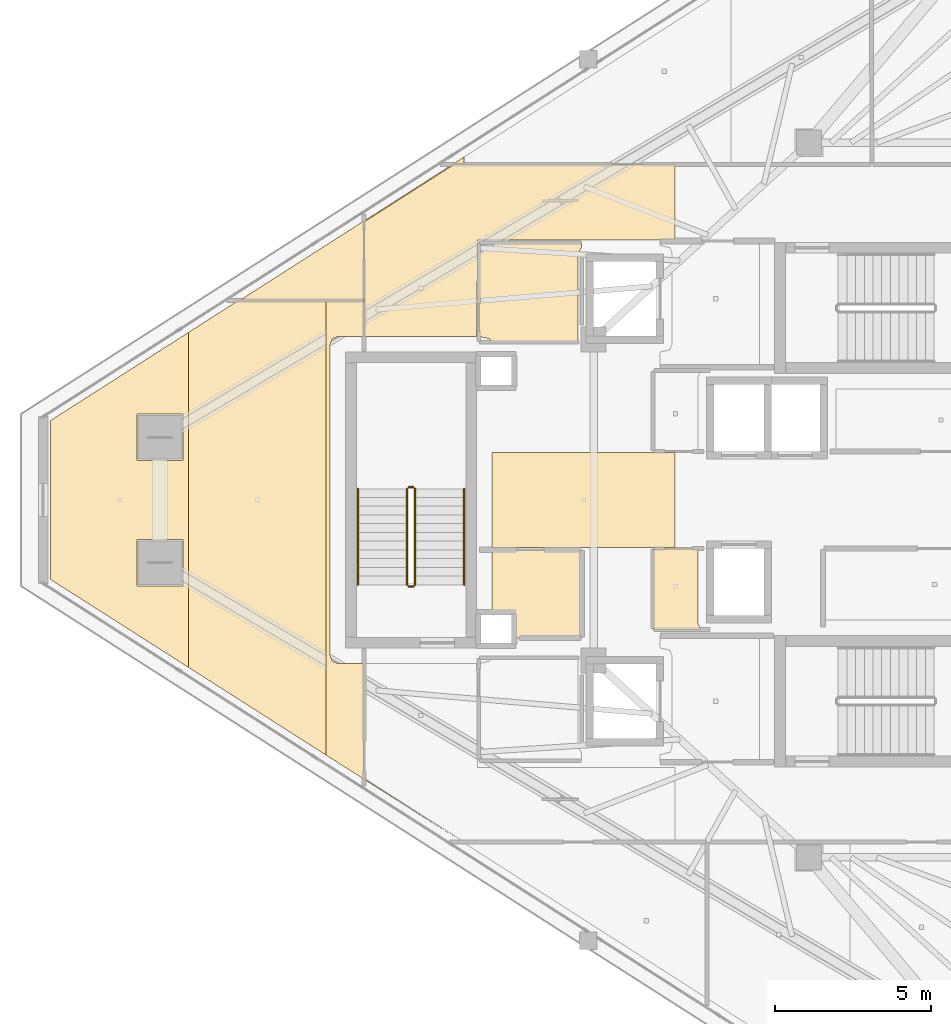
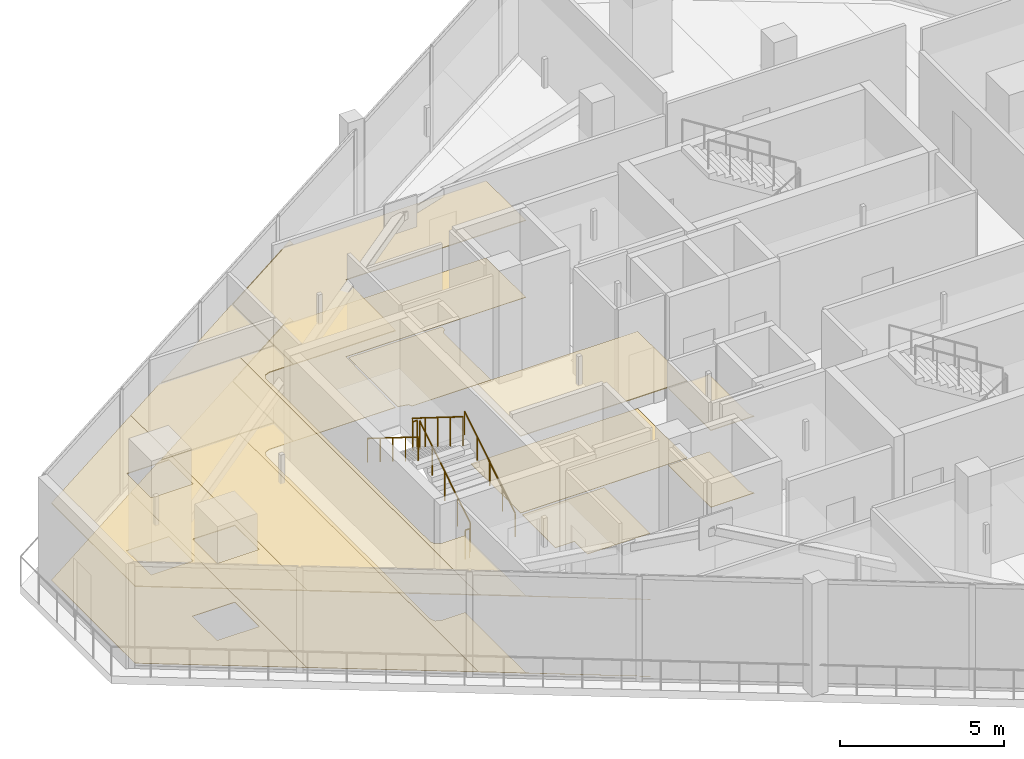
# One storey, part 22 of 25: 16 coverings, 6 railings.
"""IFC4 building model written with IfcOpenShell, lengths in metres."""

from ifc_helpers import new_model, si_unit, direction, frame, origin, origin_2d, place, context, subcontext, project, spatial, polyline, circle, outline, extrude, material, layer, layer_set, type_object, element, save


model = new_model("IFC4")

# Units and contexts
model_context = context("Model", 3, precision=1e-05, world=origin(), true_north=direction((0.0, 1.0)))
body_context = subcontext(model_context, "Body", "Model", "MODEL_VIEW")
ifc_project = project(units=[si_unit("LENGTHUNIT", "METRE"), si_unit("AREAUNIT", "SQUARE_METRE"), si_unit("VOLUMEUNIT", "CUBIC_METRE"), si_unit("PLANEANGLEUNIT", "RADIAN"), si_unit("MASSUNIT", "GRAM", prefix="KILO")], contexts=[model_context])

# Site, building, storey
site_placement = place(None, origin())
site = spatial("IfcSite", under=ifc_project, at=site_placement, CompositionType="ELEMENT")
building_placement = place(site_placement, origin())
building = spatial("IfcBuilding", under=site, at=building_placement, Name="Qorvath Tower", CompositionType="ELEMENT")
storey_placement = place(building_placement, frame((0.0, 0.0, 314.39990234375)))
storey = spatial("IfcBuildingStorey", under=building, at=storey_placement, Name="L73", CompositionType="ELEMENT", Elevation=314.39990234375)

# Coverings
ifc_material_1 = material(Name="Acoustic mineral fibre ceiling tile", Category="gypsum")
ifc_layer_1 = layer(ifc_material_1, 0.030029296875)
ifc_layer_set_1 = layer_set([ifc_layer_1], Name="COV-CEIL")
covering_type_1 = type_object("IfcCoveringType", Name="COV-CEIL", PredefinedType="CEILING", material=ifc_layer_set_1)
covering_1_placement = place(storey_placement, frame((0.0, 0.0, 2.85009765625)))
element("IfcCovering", 1, at=covering_1_placement, inside=storey, type_object=covering_type_1, Name="L73 Suspended Acoustic Ceiling 006", PredefinedType="CEILING", context=body_context, shape_type="SweptSolid", body=[
    extrude(outline(polyline([(-27.06689453125, -4.14501953125), (-27.159912109375, -3.9599609375), (-27.159912109375, -1.56494140625), (-28.594970703125, -1.56494140625), (-28.594970703125, -4.14501953125), (-27.06689453125, -4.14501953125)])), origin(), (0.0, 0.0, 1.0), 0.030029296875),
])
covering_2_placement = place(storey_placement, frame((0.0, 0.0, 2.85009765625)))
element("IfcCovering", 2, at=covering_2_placement, inside=storey, type_object=covering_type_1, Name="L73 Suspended Acoustic Ceiling 010", PredefinedType="CEILING", context=body_context, shape_type="SweptSolid", body=[
    extrude(outline(polyline([(-27.8984375, 8.324951171875), (-27.8984375, 10.7451171875), (-34.987548828125, 10.7451171875), (-37.844970703125, 8.918701171875), (-37.844970703125, 5.239990234375), (-34.2509765625, 5.239990234375), (-34.219970703125, 8.324951171875), (-27.8984375, 8.324951171875)])), origin(), (0.0, 0.0, 1.0), 0.030029296875),
])
covering_3_placement = place(storey_placement, frame((0.0, 0.0, 2.85009765625)))
element("IfcCovering", 3, at=covering_3_placement, inside=storey, type_object=covering_type_1, Name="L73 Suspended Acoustic Ceiling 012", PredefinedType="CEILING", context=body_context, shape_type="SweptSolid", body=[
    extrude(outline(polyline([(-27.8984375, -1.514892578125), (-27.8984375, 1.514892578125), (-33.760009765625, 1.514892578125), (-33.760009765625, -1.514892578125), (-27.8984375, -1.514892578125)])), origin(), (0.0, 0.0, 1.0), 0.030029296875),
])
covering_4_placement = place(storey_placement, frame((0.0, 0.0, 2.85009765625)))
element("IfcCovering", 4, at=covering_4_placement, inside=storey, type_object=covering_type_1, Name="L73 Suspended Acoustic Ceiling 029", PredefinedType="CEILING", context=body_context, shape_type="SweptSolid", body=[
    extrude(outline(polyline([(-47.905517578125, 2.547607421875), (-47.905517578125, -2.547607421875), (-43.491455078125, -5.361083984375), (-43.491455078125, 5.367919921875), (-47.905517578125, 2.547607421875)]), holes=[polyline([(-45.14501953125, -2.75), (-45.14501953125, -1.26513671875), (-43.66015625, -1.26513671875), (-43.66015625, -2.75), (-45.14501953125, -2.75)]), polyline([(-45.14501953125, 1.26513671875), (-45.14501953125, 2.75), (-43.66015625, 2.75), (-43.66015625, 1.26513671875), (-45.14501953125, 1.26513671875)])]), origin(), (0.0, 0.0, 1.0), 0.030029296875),
])
covering_5_placement = place(storey_placement, frame((0.0, 0.0, 2.85009765625)))
element("IfcCovering", 5, at=covering_5_placement, inside=storey, type_object=covering_type_1, Name="L73 Suspended Acoustic Ceiling 030", PredefinedType="CEILING", context=body_context, shape_type="SweptSolid", body=[
    extrude(outline(polyline([(-43.491455078125, 5.367919921875), (-43.491455078125, -5.361083984375), (-39.0771484375, -8.174560546875), (-39.0771484375, 6.384765625), (-41.89990234375, 6.384765625), (-43.491455078125, 5.367919921875)])), origin(), (0.0, 0.0, 1.0), 0.030029296875),
])
covering_6_placement = place(storey_placement, frame((0.0, 0.0, 2.85009765625)))
element("IfcCovering", 6, at=covering_6_placement, inside=storey, type_object=covering_type_1, Name="L73 Suspended Acoustic Ceiling 031", PredefinedType="CEILING", context=body_context, shape_type="SweptSolid", body=[
    extrude(outline(polyline([(-39.0771484375, 6.384765625), (-39.0771484375, -8.174560546875), (-34.6630859375, -10.988037109375), (-37.860595703125, -8.93017578125), (-37.863037109375, -5.239990234375), (-38.699951171875, -5.239990234375), (-38.876708984375, -5.166748046875), (-38.949951171875, -4.989990234375), (-38.949951171875, 4.989990234375), (-38.876708984375, 5.166748046875), (-38.699951171875, 5.239990234375), (-37.863037109375, 5.239990234375), (-37.863037109375, 6.384765625), (-39.0771484375, 6.384765625)])), origin(), (0.0, 0.0, 1.0), 0.030029296875),
])
covering_7_placement = place(storey_placement, frame((0.0, 0.0, 2.85009765625)))
element("IfcCovering", 7, at=covering_7_placement, inside=storey, type_object=covering_type_1, Name="L73 Suspended Acoustic Ceiling 032", PredefinedType="CEILING", context=body_context, shape_type="SweptSolid", body=[
    extrude(outline(polyline([(-34.6630859375, 10.762939453125), (-34.6630859375, 10.988037109375), (-41.83740234375, 6.40283203125), (-37.863037109375, 6.40283203125), (-37.860595703125, 8.93017578125), (-34.991455078125, 10.762939453125), (-34.6630859375, 10.762939453125)])), origin(), (0.0, 0.0, 1.0), 0.030029296875),
])
ifc_material_2 = material(Name="Low-VOC modular carpet tile", Category="textile")
ifc_layer_2 = layer(ifc_material_2, 0.014892578125)
ifc_layer_set_2 = layer_set([ifc_layer_2], Name="COV-FLOOR-CPT")
covering_type_2 = type_object("IfcCoveringType", Name="COV-FLOOR-CPT", PredefinedType="FLOORING", material=ifc_layer_set_2)
covering_8_placement = place(storey_placement, origin())
element("IfcCovering", 8, at=covering_8_placement, inside=storey, type_object=covering_type_2, Name="L73 Floor Finish 006", PredefinedType="FLOORING", context=body_context, shape_type="SweptSolid", body=[
    extrude(outline(polyline([(-27.06689453125, -4.14501953125), (-27.159912109375, -3.9599609375), (-27.159912109375, -1.56494140625), (-28.594970703125, -1.56494140625), (-28.594970703125, -4.14501953125), (-27.06689453125, -4.14501953125)])), origin(), (0.0, 0.0, 1.0), 0.01513671875),
])
covering_9_placement = place(storey_placement, origin())
element("IfcCovering", 9, at=covering_9_placement, inside=storey, type_object=covering_type_2, Name="L73 Floor Finish 009", PredefinedType="FLOORING", context=body_context, shape_type="SweptSolid", body=[
    extrude(outline(polyline([(-30.885009765625, -4.4150390625), (-30.885009765625, -1.60498046875), (-33.760009765625, -1.60498046875), (-33.760009765625, -3.636962890625), (-33.08837890625, -3.638427734375), (-33.0869140625, -4.4150390625), (-30.885009765625, -4.4150390625)])), origin(), (0.0, 0.0, 1.0), 0.01513671875),
])
covering_10_placement = place(storey_placement, origin())
element("IfcCovering", 10, at=covering_10_placement, inside=storey, type_object=covering_type_2, Name="L73 Floor Finish 029", PredefinedType="FLOORING", context=body_context, shape_type="SweptSolid", body=[
    extrude(outline(polyline([(-47.905517578125, 2.547607421875), (-47.905517578125, -2.547607421875), (-43.491455078125, -5.361083984375), (-43.491455078125, 5.367919921875), (-47.905517578125, 2.547607421875)]), holes=[polyline([(-45.14501953125, -2.75), (-45.14501953125, -1.26513671875), (-43.66015625, -1.26513671875), (-43.66015625, -2.75), (-45.14501953125, -2.75)]), polyline([(-45.14501953125, 1.26513671875), (-45.14501953125, 2.75), (-43.66015625, 2.75), (-43.66015625, 1.26513671875), (-45.14501953125, 1.26513671875)])]), origin(), (0.0, 0.0, 1.0), 0.01513671875),
])
covering_11_placement = place(storey_placement, origin())
element("IfcCovering", 11, at=covering_11_placement, inside=storey, type_object=covering_type_2, Name="L73 Floor Finish 030", PredefinedType="FLOORING", context=body_context, shape_type="SweptSolid", body=[
    extrude(outline(polyline([(-43.491455078125, 5.367919921875), (-43.491455078125, -5.361083984375), (-39.0771484375, -8.174560546875), (-39.0771484375, 6.384765625), (-41.89990234375, 6.384765625), (-43.491455078125, 5.367919921875)])), origin(), (0.0, 0.0, 1.0), 0.01513671875),
])
covering_12_placement = place(storey_placement, origin())
element("IfcCovering", 12, at=covering_12_placement, inside=storey, type_object=covering_type_2, Name="L73 Floor Finish 031", PredefinedType="FLOORING", context=body_context, shape_type="SweptSolid", body=[
    extrude(outline(polyline([(-39.0771484375, 6.384765625), (-39.0771484375, -8.174560546875), (-34.6630859375, -10.988037109375), (-37.860595703125, -8.93017578125), (-37.863037109375, -5.239990234375), (-38.699951171875, -5.239990234375), (-38.876708984375, -5.166748046875), (-38.949951171875, -4.989990234375), (-38.949951171875, 4.989990234375), (-38.876708984375, 5.166748046875), (-38.699951171875, 5.239990234375), (-37.863037109375, 5.239990234375), (-37.863037109375, 6.384765625), (-39.0771484375, 6.384765625)])), origin(), (0.0, 0.0, 1.0), 0.01513671875),
])
covering_13_placement = place(storey_placement, origin())
element("IfcCovering", 13, at=covering_13_placement, inside=storey, type_object=covering_type_2, Name="L73 Floor Finish 032", PredefinedType="FLOORING", context=body_context, shape_type="SweptSolid", body=[
    extrude(outline(polyline([(-34.6630859375, 10.762939453125), (-34.6630859375, 10.988037109375), (-41.83740234375, 6.40283203125), (-37.863037109375, 6.40283203125), (-37.860595703125, 8.93017578125), (-34.991455078125, 10.762939453125), (-34.6630859375, 10.762939453125)])), origin(), (0.0, 0.0, 1.0), 0.01513671875),
])
ifc_material_3 = material(Name="Polished epoxy terrazzo flooring", Category="concrete")
ifc_layer_3 = layer(ifc_material_3, 0.02001953125)
ifc_layer_set_3 = layer_set([ifc_layer_3], Name="COV-FLOOR-TRZ")
covering_type_3 = type_object("IfcCoveringType", Name="COV-FLOOR-TRZ", PredefinedType="FLOORING", material=ifc_layer_set_3)
covering_14_placement = place(storey_placement, origin())
element("IfcCovering", 14, at=covering_14_placement, inside=storey, type_object=covering_type_3, Name="L73 Floor Finish 007", PredefinedType="FLOORING", context=body_context, shape_type="SweptSolid", body=[
    extrude(outline(polyline([(-31.010009765625, 5.054931640625), (-31.010009765625, 7.909912109375), (-30.885009765625, 8.108154296875), (-30.885009765625, 8.2451171875), (-34.175048828125, 8.2451171875), (-34.175048828125, 5.239990234375), (-33.833251953125, 5.166748046875), (-33.786865234375, 5.054931640625), (-31.010009765625, 5.054931640625)])), origin(), (0.0, 0.0, 1.0), 0.01513671875),
])
covering_15_placement = place(storey_placement, origin())
element("IfcCovering", 15, at=covering_15_placement, inside=storey, type_object=covering_type_3, Name="L73 Floor Finish 010", PredefinedType="FLOORING", context=body_context, shape_type="SweptSolid", body=[
    extrude(outline(polyline([(-27.8984375, 8.324951171875), (-27.8984375, 10.7451171875), (-34.987548828125, 10.7451171875), (-37.844970703125, 8.918701171875), (-37.844970703125, 5.239990234375), (-34.2509765625, 5.239990234375), (-34.219970703125, 8.324951171875), (-27.8984375, 8.324951171875)])), origin(), (0.0, 0.0, 1.0), 0.01513671875),
])
covering_16_placement = place(storey_placement, origin())
element("IfcCovering", 16, at=covering_16_placement, inside=storey, type_object=covering_type_3, Name="L73 Floor Finish 012", PredefinedType="FLOORING", context=body_context, shape_type="SweptSolid", body=[
    extrude(outline(polyline([(-27.8984375, -1.514892578125), (-27.8984375, 1.514892578125), (-33.760009765625, 1.514892578125), (-33.760009765625, -1.514892578125), (-27.8984375, -1.514892578125)])), origin(), (0.0, 0.0, 1.0), 0.01513671875),
])

# Railings
ifc_material_4 = material(Name="Painted galvanised steel", Category="steel")
railing_type_1 = type_object("IfcRailingType", Name="RL-STR-GRD", PredefinedType="GUARDRAIL", material=ifc_material_4)
railing_1_placement = place(storey_placement, frame((-36.22998046875, -2.719970703125, 0.175048828125)))
element("IfcRailing", 17, at=railing_1_placement, inside=storey, type_object=railing_type_1, Name="L73 TS3 stair guard 1", PredefinedType="GUARDRAIL", context=body_context, shape_type="SweptSolid", body=[
    extrude(circle(Radius=0.02392578125, at=origin_2d()), frame((0.0, 0.0, 1.076171875), z_axis=(0.0, 0.847998304005, 0.529998940003), x_axis=(-1.0, 0.0, 0.0)), (0.0, 0.0, 1.0), 3.632080078125),
    extrude(circle(Radius=0.02099609375, at=origin_2d()), origin(), (0.0, 0.0, 1.0), 1.052001953125),
    extrude(circle(Radius=0.02099609375, at=origin_2d()), frame((0.0, 0.77001953125, 0.481201171875)), (0.0, 0.0, 1.0), 1.052001953125),
    extrude(circle(Radius=0.02099609375, at=origin_2d()), frame((0.0, 1.5400390625, 0.96240234375)), (0.0, 0.0, 1.0), 1.052001953125),
    extrude(circle(Radius=0.02099609375, at=origin_2d()), frame((0.0, 2.31005859375, 1.44384765625)), (0.0, 0.0, 1.0), 1.052001953125),
    extrude(circle(Radius=0.02099609375, at=origin_2d()), frame((0.0, 3.080078125, 1.925048828125)), (0.0, 0.0, 1.0), 1.052001953125),
])
railing_2_placement = place(storey_placement, frame((-36.280029296875, 0.409912109375, 2.10009765625)))
element("IfcRailing", 18, at=railing_2_placement, inside=storey, type_object=railing_type_1, Name="L73 TS3 stair guard 2", PredefinedType="GUARDRAIL", context=body_context, shape_type="SweptSolid", body=[
    extrude(circle(Radius=0.02392578125, at=origin_2d()), frame((0.0, 0.0, 1.076171875), z_axis=(-1.0, 0.0, 0.0), x_axis=(0.0, -1.0, 0.0)), (0.0, 0.0, 1.0), 0.14990234375),
    extrude(circle(Radius=0.02099609375, at=origin_2d()), origin(), (0.0, 0.0, 1.0), 1.052001953125),
    extrude(circle(Radius=0.02099609375, at=origin_2d()), frame((-0.14990234375, 0.0, 0.0)), (0.0, 0.0, 1.0), 1.052001953125),
])
railing_3_placement = place(storey_placement, frame((-36.47998046875, 0.360107421875, 2.275146484375)))
element("IfcRailing", 19, at=railing_3_placement, inside=storey, type_object=railing_type_1, Name="L73 TS3 stair guard 3", PredefinedType="GUARDRAIL", context=body_context, shape_type="SweptSolid", body=[
    extrude(circle(Radius=0.02392578125, at=origin_2d()), frame((0.0, 0.0, 1.076171875), z_axis=(0.0, -0.847998304005, 0.529998940003), x_axis=(1.0, 0.0, 0.0)), (0.0, 0.0, 1.0), 3.632080078125),
    extrude(circle(Radius=0.02099609375, at=origin_2d()), origin(), (0.0, 0.0, 1.0), 1.052001953125),
    extrude(circle(Radius=0.02099609375, at=origin_2d()), frame((0.0, -0.77001953125, 0.481201171875)), (0.0, 0.0, 1.0), 1.052001953125),
    extrude(circle(Radius=0.02099609375, at=origin_2d()), frame((0.0, -1.5400390625, 0.96240234375)), (0.0, 0.0, 1.0), 1.052001953125),
    extrude(circle(Radius=0.02099609375, at=origin_2d()), frame((0.0, -2.31005859375, 1.44384765625)), (0.0, 0.0, 1.0), 1.052001953125),
    extrude(circle(Radius=0.02099609375, at=origin_2d()), frame((0.0, -3.080078125, 1.925048828125)), (0.0, 0.0, 1.0), 1.052001953125),
])
railing_4_placement = place(storey_placement, frame((-36.280029296875, -2.77001953125, 0.0)))
element("IfcRailing", 20, at=railing_4_placement, inside=storey, type_object=railing_type_1, Name="L73 TS3 stair guard 4", PredefinedType="GUARDRAIL", context=body_context, shape_type="SweptSolid", body=[
    extrude(circle(Radius=0.02392578125, at=origin_2d()), frame((0.0, 0.0, 1.076171875), z_axis=(-1.0, 0.0, 0.0), x_axis=(0.0, -1.0, 0.0)), (0.0, 0.0, 1.0), 0.14990234375),
    extrude(circle(Radius=0.02099609375, at=origin_2d()), origin(), (0.0, 0.0, 1.0), 1.052001953125),
    extrude(circle(Radius=0.02099609375, at=origin_2d()), frame((-0.14990234375, 0.0, 0.0)), (0.0, 0.0, 1.0), 1.052001953125),
])
ifc_material_5 = material(Name="Brushed stainless steel AISI 304", Category="steel")
railing_type_2 = type_object("IfcRailingType", Name="RL-STR-HND", PredefinedType="HANDRAIL", material=ifc_material_5)
railing_5_placement = place(storey_placement, frame((-34.64990234375, -2.719970703125, 0.175048828125)))
element("IfcRailing", 21, at=railing_5_placement, inside=storey, type_object=railing_type_2, Name="L73 TS3 stair handrail 1", PredefinedType="HANDRAIL", context=body_context, shape_type="SweptSolid", body=[
    extrude(circle(Radius=0.02392578125, at=origin_2d()), frame((0.0, 0.0, 0.8759765625), z_axis=(0.0, 0.847998304005, 0.529998940003), x_axis=(-1.0, 0.0, 0.0)), (0.0, 0.0, 1.0), 3.632080078125),
    extrude(circle(Radius=0.02099609375, at=origin_2d()), origin(), (0.0, 0.0, 1.0), 0.851806640625),
    extrude(circle(Radius=0.02099609375, at=origin_2d()), frame((0.0, 0.77001953125, 0.481201171875)), (0.0, 0.0, 1.0), 0.851806640625),
    extrude(circle(Radius=0.02099609375, at=origin_2d()), frame((0.0, 1.5400390625, 0.96240234375)), (0.0, 0.0, 1.0), 0.851806640625),
    extrude(circle(Radius=0.02099609375, at=origin_2d()), frame((0.0, 2.31005859375, 1.44384765625)), (0.0, 0.0, 1.0), 0.851806640625),
    extrude(circle(Radius=0.02099609375, at=origin_2d()), frame((0.0, 3.080078125, 1.925048828125)), (0.0, 0.0, 1.0), 0.851806640625),
])
railing_6_placement = place(storey_placement, frame((-38.06005859375, 0.360107421875, 2.275146484375)))
element("IfcRailing", 22, at=railing_6_placement, inside=storey, type_object=railing_type_2, Name="L73 TS3 stair handrail 2", PredefinedType="HANDRAIL", context=body_context, shape_type="SweptSolid", body=[
    extrude(circle(Radius=0.02392578125, at=origin_2d()), frame((0.0, 0.0, 0.8759765625), z_axis=(0.0, -0.847998304005, 0.529998940003), x_axis=(1.0, 0.0, 0.0)), (0.0, 0.0, 1.0), 3.632080078125),
    extrude(circle(Radius=0.02099609375, at=origin_2d()), origin(), (0.0, 0.0, 1.0), 0.851806640625),
    extrude(circle(Radius=0.02099609375, at=origin_2d()), frame((0.0, -0.77001953125, 0.481201171875)), (0.0, 0.0, 1.0), 0.851806640625),
    extrude(circle(Radius=0.02099609375, at=origin_2d()), frame((0.0, -1.5400390625, 0.96240234375)), (0.0, 0.0, 1.0), 0.851806640625),
    extrude(circle(Radius=0.02099609375, at=origin_2d()), frame((0.0, -2.31005859375, 1.44384765625)), (0.0, 0.0, 1.0), 0.851806640625),
    extrude(circle(Radius=0.02099609375, at=origin_2d()), frame((0.0, -3.080078125, 1.925048828125)), (0.0, 0.0, 1.0), 0.851806640625),
])

save(model, "model.ifc")
